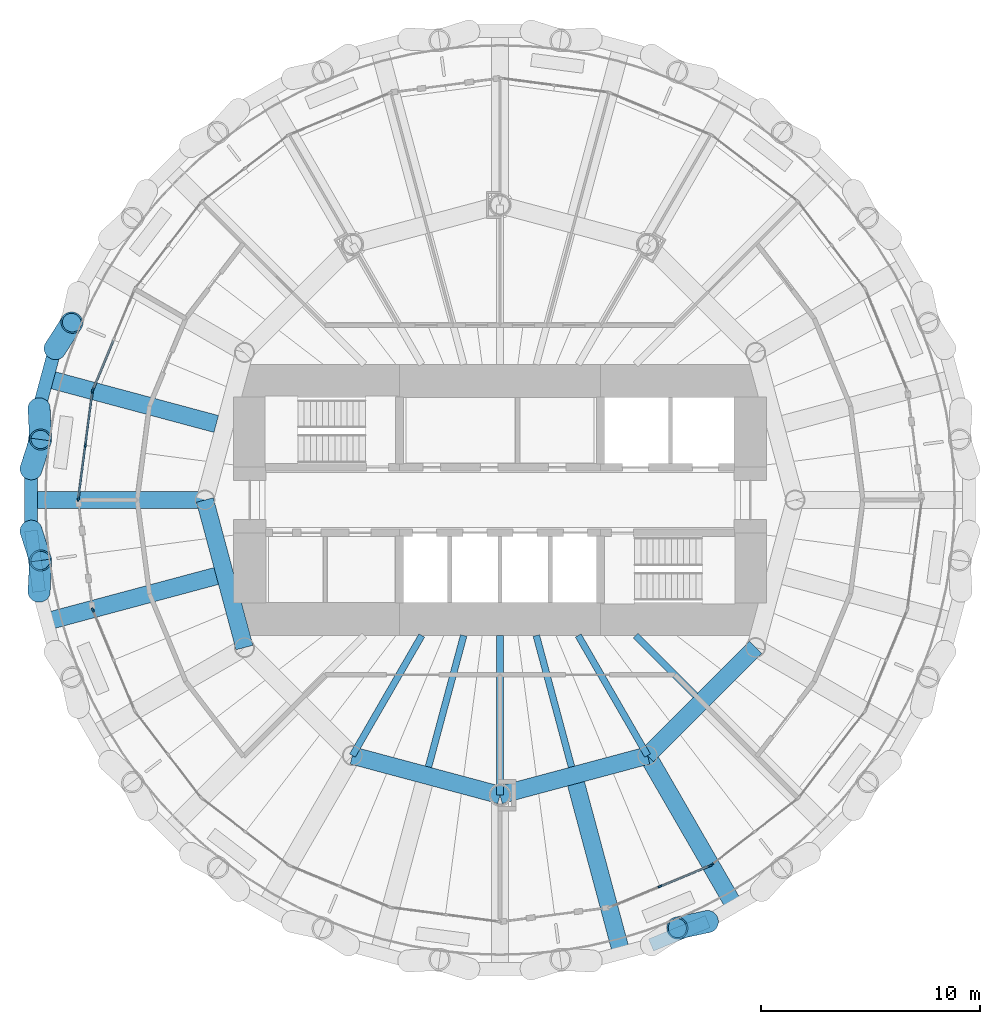
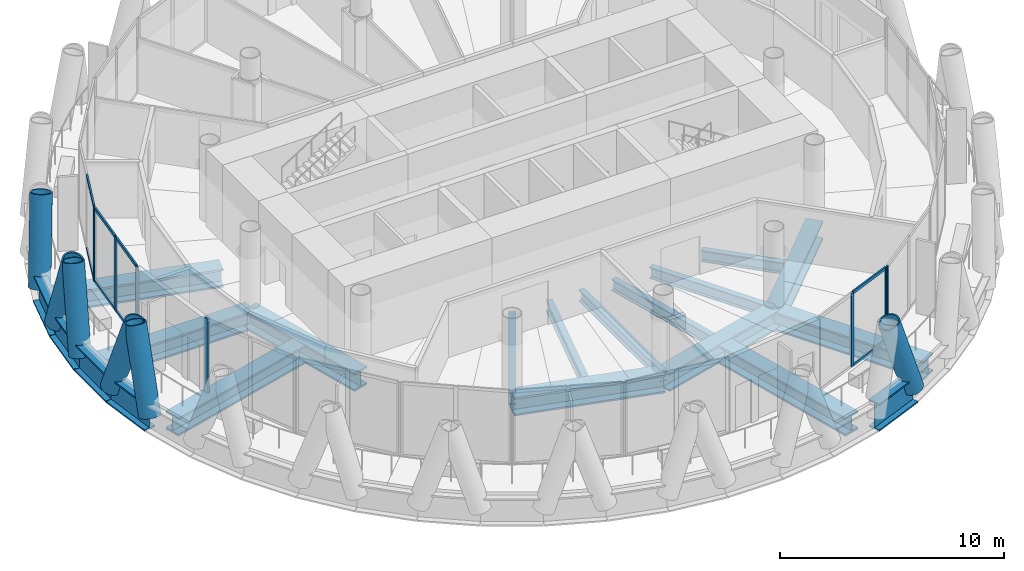
# One storey, part 3 of 15: 22 members, 20 beams, 5 elements without a shape of their own.
"""IFC4 building model written with IfcOpenShell, lengths in metres."""

from ifc_helpers import new_model, si_unit, direction, frame, origin, origin_2d, place, context, subcontext, project, spatial, rectangle, hollow_circle, i_section, extrude, material, material_profile, profile_set, type_object, element, aggregate, save


model = new_model("IFC4")

# Units and contexts
model_context = context("Model", 3, precision=1e-05, world=origin(), true_north=direction((0.0, 1.0)))
body_context = subcontext(model_context, "Body", "Model", "MODEL_VIEW")
ifc_project = project(units=[si_unit("LENGTHUNIT", "METRE"), si_unit("AREAUNIT", "SQUARE_METRE"), si_unit("VOLUMEUNIT", "CUBIC_METRE"), si_unit("PLANEANGLEUNIT", "RADIAN"), si_unit("MASSUNIT", "GRAM", prefix="KILO")], contexts=[model_context])

# Site, building, storey
site_placement = place(None, origin())
site = spatial("IfcSite", under=ifc_project, at=site_placement, CompositionType="ELEMENT")
building_placement = place(site_placement, origin())
building = spatial("IfcBuilding", under=site, at=building_placement, Name="Qaws Media Tower", CompositionType="ELEMENT")
storey_placement = place(building_placement, frame((0.0, 0.0, 265.39990234375)))
storey = spatial("IfcBuildingStorey", under=building, at=storey_placement, Name="L61", CompositionType="ELEMENT", Elevation=265.39990234375)

# Curtain wall, member
ifc_material_1 = material(Name="Aluminium and clear glass", Category="aluminium")
curtain_wall_type = type_object("IfcCurtainWallType", Name="Unitised curtain wall CW-D", PredefinedType="NOTDEFINED", material=ifc_material_1)
curtain_wall_1_placement = place(storey_placement, origin())
curtain_wall_1 = element("IfcCurtainWall", 1, at=curtain_wall_1_placement, inside=storey, type_object=curtain_wall_type, Name="CWD curtain wall L61-11", PredefinedType="NOTDEFINED")
ifc_material_2 = material(Name="Aluminium mullion", Category="aluminium")
ifc_material_profile_1 = material_profile(ifc_material_2, rectangle(XDim=0.080078125, YDim=0.199951171875, at=origin_2d()), Name="80x200")
ifc_profile_set_1 = profile_set([ifc_material_profile_1], Name="Aluminium mullion")
member_type_1 = type_object("IfcMemberType", Name="Curtain wall mullion 80x200", PredefinedType="MULLION", material=ifc_profile_set_1)
member_1_placement = place(storey_placement, frame((41.373046875, 55.0322265625, 0.0), z_axis=(0.0, 0.0, 1.0), x_axis=(0.923879530855, -0.382683436364, 0.0)))
member_1 = element("IfcMember", 2, at=member_1_placement, type_object=member_type_1, Name="CWD mullion 3", PredefinedType="MULLION", context=body_context, shape_type="SweptSolid", body=[
    extrude(rectangle(XDim=0.080078125, YDim=0.199951171875, at=origin_2d()), origin(), (0.0, 0.0, 1.0), 4.0400390625),
])

# Curtain wall, members
curtain_wall_2_placement = place(storey_placement, origin())
curtain_wall_2 = element("IfcCurtainWall", 3, at=curtain_wall_2_placement, inside=storey, type_object=curtain_wall_type, Name="CWD curtain wall L61-12", PredefinedType="NOTDEFINED")
member_2_placement = place(storey_placement, frame((41.352294921875, 54.95556640625, 0.0), z_axis=(0.0, 0.0, 1.0), x_axis=(0.991444851334, -0.130526268479, 0.0)))
member_2 = element("IfcMember", 4, at=member_2_placement, type_object=member_type_1, Name="CWD mullion 1", PredefinedType="MULLION", context=body_context, shape_type="SweptSolid", body=[
    extrude(rectangle(XDim=0.080078125, YDim=0.199951171875, at=origin_2d()), origin(), (0.0, 0.0, 1.0), 4.0400390625),
])
member_3_placement = place(storey_placement, frame((41.02880859375, 52.49755859375, 0.0), z_axis=(0.0, 0.0, 1.0), x_axis=(0.991444851334, -0.130526268479, 0.0)))
member_3 = element("IfcMember", 5, at=member_3_placement, type_object=member_type_1, Name="CWD mullion 2", PredefinedType="MULLION", context=body_context, shape_type="SweptSolid", body=[
    extrude(rectangle(XDim=0.080078125, YDim=0.199951171875, at=origin_2d()), origin(), (0.0, 0.0, 1.0), 4.0400390625),
])
member_4_placement = place(storey_placement, frame((40.705322265625, 50.03955078125, 0.0), z_axis=(0.0, 0.0, 1.0), x_axis=(0.991444851334, -0.130526268479, 0.0)))
member_4 = element("IfcMember", 6, at=member_4_placement, type_object=member_type_1, Name="CWD mullion 3", PredefinedType="MULLION", context=body_context, shape_type="SweptSolid", body=[
    extrude(rectangle(XDim=0.080078125, YDim=0.199951171875, at=origin_2d()), origin(), (0.0, 0.0, 1.0), 4.0400390625),
])

# Curtain wall, member
curtain_wall_3_placement = place(storey_placement, origin())
curtain_wall_3 = element("IfcCurtainWall", 7, at=curtain_wall_3_placement, inside=storey, type_object=curtain_wall_type, Name="CWD curtain wall L61-14", PredefinedType="NOTDEFINED")
member_5_placement = place(storey_placement, frame((41.373046875, 44.9677734375, 0.0), z_axis=(0.0, 0.0, 1.0), x_axis=(0.923879530855, 0.382683436364, 0.0)))
member_5 = element("IfcMember", 8, at=member_5_placement, type_object=member_type_1, Name="CWD mullion 1", PredefinedType="MULLION", context=body_context, shape_type="SweptSolid", body=[
    extrude(rectangle(XDim=0.080078125, YDim=0.199951171875, at=origin_2d()), origin(), (0.0, 0.0, 1.0), 4.0400390625),
])
aggregate(curtain_wall_3, [member_5])

# Curtain wall, members
curtain_wall_4_placement = place(storey_placement, origin())
curtain_wall_4 = element("IfcCurtainWall", 9, at=curtain_wall_4_placement, inside=storey, type_object=curtain_wall_type, Name="CWD curtain wall L61-20", PredefinedType="NOTDEFINED")
member_6_placement = place(storey_placement, frame((67.322509765625, 32.32177734375, 0.0), z_axis=(0.0, 0.0, 1.0), x_axis=(-0.382683436364, 0.923879530855, 0.0)))
member_6 = element("IfcMember", 10, at=member_6_placement, type_object=member_type_1, Name="CWD mullion 2", PredefinedType="MULLION", context=body_context, shape_type="SweptSolid", body=[
    extrude(rectangle(XDim=0.080078125, YDim=0.199951171875, at=origin_2d()), origin(), (0.0, 0.0, 1.0), 4.0400390625),
])
member_7_placement = place(storey_placement, frame((69.613037109375, 33.2705078125, 0.0), z_axis=(0.0, 0.0, 1.0), x_axis=(-0.382683436364, 0.923879530855, 0.0)))
member_7 = element("IfcMember", 11, at=member_7_placement, type_object=member_type_1, Name="CWD mullion 3", PredefinedType="MULLION", context=body_context, shape_type="SweptSolid", body=[
    extrude(rectangle(XDim=0.080078125, YDim=0.199951171875, at=origin_2d()), origin(), (0.0, 0.0, 1.0), 4.0400390625),
])

# Curtain wall, member
curtain_wall_5_placement = place(storey_placement, origin())
curtain_wall_5 = element("IfcCurtainWall", 12, at=curtain_wall_5_placement, inside=storey, type_object=curtain_wall_type, Name="CWD curtain wall L61-21", PredefinedType="NOTDEFINED")
member_8_placement = place(storey_placement, frame((69.681640625, 33.31005859375, 0.0), z_axis=(0.0, 0.0, 1.0), x_axis=(-0.608761365217, 0.79335338924, 0.0)))
member_8 = element("IfcMember", 13, at=member_8_placement, type_object=member_type_1, Name="CWD mullion 1", PredefinedType="MULLION", context=body_context, shape_type="SweptSolid", body=[
    extrude(rectangle(XDim=0.080078125, YDim=0.199951171875, at=origin_2d()), origin(), (0.0, 0.0, 1.0), 4.0400390625),
])
aggregate(curtain_wall_5, [member_8])

# Member
ifc_material_3 = material(Name="Aluminium transom", Category="aluminium")
ifc_material_profile_2 = material_profile(ifc_material_3, rectangle(XDim=0.080078125, YDim=0.159912109375, at=origin_2d()), Name="80x160")
ifc_profile_set_2 = profile_set([ifc_material_profile_2], Name="Aluminium transom")
member_type_2 = type_object("IfcMemberType", Name="Curtain wall transom 80x160", PredefinedType="USERDEFINED", material=ifc_profile_set_2)
member_9_placement = place(storey_placement, frame((42.306396484375, 57.28564453125, 0.0400390625), z_axis=(-0.382714272026, -0.923866757703, 0.0), x_axis=(0.923866757703, -0.382714272026, 0.0)))
member_9 = element("IfcMember", 14, at=member_9_placement, type_object=member_type_2, Name="CWD transom 2.1", ObjectType="TRANSOM", PredefinedType="USERDEFINED", context=body_context, shape_type="SweptSolid", body=[
    extrude(rectangle(XDim=0.080078125, YDim=0.159912109375, at=origin_2d()), origin(), (0.0, 0.0, 1.0), 2.399169921875),
])

member_10_placement = place(storey_placement, frame((42.306396484375, 57.28564453125, 4.0), z_axis=(-0.382714272026, -0.923866757703, 0.0), x_axis=(0.923866757703, -0.382714272026, 0.0)))
member_10 = element("IfcMember", 15, at=member_10_placement, type_object=member_type_2, Name="CWD transom 2.2", ObjectType="TRANSOM", PredefinedType="USERDEFINED", context=body_context, shape_type="SweptSolid", body=[
    extrude(rectangle(XDim=0.080078125, YDim=0.159912109375, at=origin_2d()), origin(), (0.0, 0.0, 1.0), 2.399169921875),
])

aggregate(curtain_wall_1, [member_1, member_9, member_10])

member_11_placement = place(storey_placement, frame((41.34716796875, 54.915771484375, 0.0400390625), z_axis=(-0.130570344699, -0.99143904759, 0.0), x_axis=(0.99143904759, -0.130570344699, 0.0)))
member_11 = element("IfcMember", 16, at=member_11_placement, type_object=member_type_2, Name="CWD transom 1.1", ObjectType="TRANSOM", PredefinedType="USERDEFINED", context=body_context, shape_type="SweptSolid", body=[
    extrude(rectangle(XDim=0.080078125, YDim=0.159912109375, at=origin_2d()), origin(), (0.0, 0.0, 1.0), 2.39892578125),
])

member_12_placement = place(storey_placement, frame((41.34716796875, 54.915771484375, 4.0), z_axis=(-0.130570344699, -0.99143904759, 0.0), x_axis=(0.99143904759, -0.130570344699, 0.0)))
member_12 = element("IfcMember", 17, at=member_12_placement, type_object=member_type_2, Name="CWD transom 1.2", ObjectType="TRANSOM", PredefinedType="USERDEFINED", context=body_context, shape_type="SweptSolid", body=[
    extrude(rectangle(XDim=0.080078125, YDim=0.159912109375, at=origin_2d()), origin(), (0.0, 0.0, 1.0), 2.39892578125),
])

member_13_placement = place(storey_placement, frame((41.023681640625, 52.4580078125, 0.0400390625), z_axis=(-0.130557171689, -0.991440782357, 0.0), x_axis=(0.991440782357, -0.130557171689, 0.0)))
member_13 = element("IfcMember", 18, at=member_13_placement, type_object=member_type_2, Name="CWD transom 2.1", ObjectType="TRANSOM", PredefinedType="USERDEFINED", context=body_context, shape_type="SweptSolid", body=[
    extrude(rectangle(XDim=0.080078125, YDim=0.159912109375, at=origin_2d()), origin(), (0.0, 0.0, 1.0), 2.399169921875),
])

member_14_placement = place(storey_placement, frame((41.023681640625, 52.4580078125, 4.0), z_axis=(-0.130557171689, -0.991440782357, 0.0), x_axis=(0.991440782357, -0.130557171689, 0.0)))
member_14 = element("IfcMember", 19, at=member_14_placement, type_object=member_type_2, Name="CWD transom 2.2", ObjectType="TRANSOM", PredefinedType="USERDEFINED", context=body_context, shape_type="SweptSolid", body=[
    extrude(rectangle(XDim=0.080078125, YDim=0.159912109375, at=origin_2d()), origin(), (0.0, 0.0, 1.0), 2.399169921875),
])

aggregate(curtain_wall_2, [member_2, member_3, member_4, member_11, member_12, member_13, member_14])

member_15_placement = place(storey_placement, frame((67.359619140625, 32.3369140625, 0.0400390625), z_axis=(0.923866757703, 0.382714272026, 0.0), x_axis=(-0.382714272026, 0.923866757703, 0.0)))
member_15 = element("IfcMember", 20, at=member_15_placement, type_object=member_type_2, Name="CWD transom 2.1", ObjectType="TRANSOM", PredefinedType="USERDEFINED", context=body_context, shape_type="SweptSolid", body=[
    extrude(rectangle(XDim=0.080078125, YDim=0.159912109375, at=origin_2d()), origin(), (0.0, 0.0, 1.0), 2.399169921875),
])

member_16_placement = place(storey_placement, frame((67.359619140625, 32.3369140625, 4.0), z_axis=(0.923866757703, 0.382714272026, 0.0), x_axis=(-0.382714272026, 0.923866757703, 0.0)))
member_16 = element("IfcMember", 21, at=member_16_placement, type_object=member_type_2, Name="CWD transom 2.2", ObjectType="TRANSOM", PredefinedType="USERDEFINED", context=body_context, shape_type="SweptSolid", body=[
    extrude(rectangle(XDim=0.080078125, YDim=0.159912109375, at=origin_2d()), origin(), (0.0, 0.0, 1.0), 2.399169921875),
])

aggregate(curtain_wall_4, [member_6, member_7, member_15, member_16])

# Members
ifc_material_4 = material(Name="Steel S460", Category="steel")
ifc_material_profile_3 = material_profile(ifc_material_4, hollow_circle(Radius=0.508056640625, WallThickness=0.070068359375, at=origin_2d()), Name="CHS 1016x70")
ifc_profile_set_3 = profile_set([ifc_material_profile_3], Name="Steel S460")
member_type_3 = type_object("IfcMemberType", Name="Diagrid member CHS 1016x70", PredefinedType="USERDEFINED", material=ifc_profile_set_3)
for number, where, z_axis, x_axis, name in (
    (22, (38.9130859375, 54.1943359375, -0.909912109375), (0.015408886493, -0.321715537287, 0.946710979806), (0.998854956417, 0.047841154259, 0.0), "DG3 diagrid L61 A12"),
    (23, (39.64111328125, 56.910888671875, -0.909912109375), (0.174175702835, 0.270921638249, 0.946712358887), (-0.841161820397, 0.540783498183, 0.0), "DG3 diagrid L61 B12"),
    (24, (38.546142578125, 48.59375, -0.909912109375), (0.0981224127, -0.306749483111, 0.946718937561), (0.952457869981, 0.304670323318, 0.0), "DG3 diagrid L61 A13"),
    (25, (38.546142578125, 51.40625, -0.909912109375), (0.0981224127, 0.306749483111, 0.946718937561), (-0.952457869981, 0.304670323318, 0.0), "DG3 diagrid L61 B13"),
    (26, (38.9130859375, 45.8056640625, -0.909912109375), (0.015408886493, 0.321715537287, 0.946710979806), (-0.998854956417, 0.047841154259, 0.0), "DG3 diagrid L61 B14"),
):
    element("IfcMember", number, at=place(storey_placement, frame(where, z_axis=z_axis, x_axis=x_axis)), inside=storey, type_object=member_type_3, Name=name, ObjectType="DIAGRID", PredefinedType="USERDEFINED", context=body_context, shape_type="SweptSolid", body=[
        extrude(hollow_circle(Radius=0.508056640625, WallThickness=0.070068359375, at=origin_2d()), origin(), (0.0, 0.0, 1.0), 4.436279296875),
    ])
member_17_placement = place(storey_placement, frame((69.50927734375, 30.71728515625, -0.909912109375), z_axis=(-0.314777089822, -0.068403482981, 0.946697600736), x_axis=(0.212351625581, -0.977193321259, 0.0)))
element("IfcMember", 27, at=member_17_placement, inside=storey, type_object=member_type_3, Name="DG3 diagrid L61 B21", ObjectType="DIAGRID", PredefinedType="USERDEFINED", context=body_context, shape_type="SweptSolid", body=[
    extrude(hollow_circle(Radius=0.508056640625, WallThickness=0.070068359375, at=origin_2d()), origin(), (0.0, 0.0, 1.0), 4.4365234375),
])

# Beams
ifc_material_5 = material(Name="Steel S460", Category="steel")
ifc_material_profile_4 = material_profile(ifc_material_5, i_section(OverallWidth=0.60009765625, OverallDepth=1.5, WebThickness=0.030029296875, FlangeThickness=0.080078125, at=origin_2d()), Name="PG 1500x600")
ifc_profile_set_4 = profile_set([ifc_material_profile_4], Name="Steel S460")
beam_type_1 = type_object("IfcBeamType", Name="Edge ring beam PG 1500x600", PredefinedType="BEAM", material=ifc_profile_set_4)
beam_1_placement = place(storey_placement, frame((39.64111328125, 56.910888671875, -0.909912109375), z_axis=(-0.258861917402, -0.965914337671, 0.0), x_axis=(0.965914337671, -0.258861917402, 0.0)))
element("IfcBeam", 28, at=beam_1_placement, inside=storey, type_object=beam_type_1, Name="RB5 edge ring beam L61-22", PredefinedType="BEAM", context=body_context, shape_type="SweptSolid", body=[
    extrude(i_section(OverallWidth=0.60009765625, OverallDepth=1.5, WebThickness=0.030029296875, FlangeThickness=0.080078125, at=origin_2d()), origin(), (0.0, 0.0, 1.0), 2.8125),
])
beam_2_placement = place(storey_placement, frame((38.9130859375, 54.1943359375, -0.909912109375), z_axis=(-0.13048595338, -0.991450158087, 0.0), x_axis=(0.991450158087, -0.13048595338, 0.0)))
element("IfcBeam", 29, at=beam_2_placement, inside=storey, type_object=beam_type_1, Name="RB5 edge ring beam L61-23", PredefinedType="BEAM", context=body_context, shape_type="SweptSolid", body=[
    extrude(i_section(OverallWidth=0.60009765625, OverallDepth=1.5, WebThickness=0.030029296875, FlangeThickness=0.080078125, at=origin_2d()), origin(), (0.0, 0.0, 1.0), 2.81201171875),
])
beam_3_placement = place(storey_placement, frame((38.546142578125, 51.40625, -0.909912109375), z_axis=(0.0, -1.0, 0.0), x_axis=(1.0, 0.0, 0.0)))
element("IfcBeam", 30, at=beam_3_placement, inside=storey, type_object=beam_type_1, Name="RB5 edge ring beam L61-24", PredefinedType="BEAM", context=body_context, shape_type="SweptSolid", body=[
    extrude(i_section(OverallWidth=0.60009765625, OverallDepth=1.5, WebThickness=0.030029296875, FlangeThickness=0.080078125, at=origin_2d()), origin(), (0.0, 0.0, 1.0), 2.8125),
])
beam_4_placement = place(storey_placement, frame((38.546142578125, 48.59375, -0.909912109375), z_axis=(0.13048595338, -0.991450158087, 0.0), x_axis=(0.991450158087, 0.13048595338, 0.0)))
element("IfcBeam", 31, at=beam_4_placement, inside=storey, type_object=beam_type_1, Name="RB5 edge ring beam L61-25", PredefinedType="BEAM", context=body_context, shape_type="SweptSolid", body=[
    extrude(i_section(OverallWidth=0.60009765625, OverallDepth=1.5, WebThickness=0.030029296875, FlangeThickness=0.080078125, at=origin_2d()), origin(), (0.0, 0.0, 1.0), 2.81201171875),
])
beam_5_placement = place(storey_placement, frame((66.910888671875, 29.64111328125, -0.909912109375), z_axis=(0.923894108428, 0.382648241093, 0.0), x_axis=(-0.382648241093, 0.923894108428, 0.0)))
element("IfcBeam", 32, at=beam_5_placement, inside=storey, type_object=beam_type_1, Name="RB5 edge ring beam L61-39", PredefinedType="BEAM", context=body_context, shape_type="SweptSolid", body=[
    extrude(i_section(OverallWidth=0.60009765625, OverallDepth=1.5, WebThickness=0.030029296875, FlangeThickness=0.080078125, at=origin_2d()), origin(), (0.0, 0.0, 1.0), 2.8125),
])
ifc_material_6 = material(Name="Steel S460", Category="steel")
ifc_material_profile_5 = material_profile(ifc_material_6, i_section(OverallWidth=0.800048828125, OverallDepth=1.0, WebThickness=0.0400390625, FlangeThickness=0.10009765625, at=origin_2d()), Name="PG 1000x800")
ifc_profile_set_5 = profile_set([ifc_material_profile_5], Name="Steel S460")
beam_type_2 = type_object("IfcBeamType", Name="Inner ring girder PG 1000x800", PredefinedType="BEAM", material=ifc_profile_set_5)
for number, where, z_axis, x_axis, name in (
    (33, (46.5, 50.0, -0.659912109375), (0.258810593767, -0.965928090778, 0.0), (0.965928090778, 0.258810593767, 0.0), "B3 inner ring beam L61 I07-I08"),
    (34, (53.25, 38.30859375, -0.659912109375), (0.965928090778, -0.258810593767, 0.0), (0.258810593767, 0.965928090778, 0.0), "B3 inner ring beam L61 I09-I10"),
    (35, (60.0, 36.5, -0.659912109375), (0.965928090778, 0.258810593767, 0.0), (-0.258810593767, 0.965928090778, 0.0), "B3 inner ring beam L61 I10-I11"),
):
    element("IfcBeam", number, at=place(storey_placement, frame(where, z_axis=z_axis, x_axis=x_axis)), inside=storey, type_object=beam_type_2, Name=name, PredefinedType="BEAM", context=body_context, shape_type="SweptSolid", body=[
        extrude(i_section(OverallWidth=0.800048828125, OverallDepth=1.0, WebThickness=0.0400390625, FlangeThickness=0.10009765625, at=origin_2d()), origin(), (0.0, 0.0, 1.0), 6.988037109375),
    ])
beam_6_placement = place(storey_placement, frame((66.75, 38.30859375, -0.659912109375), z_axis=(0.707106781187, 0.707106781187, 0.0), x_axis=(-0.707106781187, 0.707106781187, 0.0)))
element("IfcBeam", 36, at=beam_6_placement, inside=storey, type_object=beam_type_2, Name="B3 inner ring beam L61 I11-I12", PredefinedType="BEAM", context=body_context, shape_type="SweptSolid", body=[
    extrude(i_section(OverallWidth=0.800048828125, OverallDepth=1.0, WebThickness=0.0400390625, FlangeThickness=0.10009765625, at=origin_2d()), origin(), (0.0, 0.0, 1.0), 6.98828125),
])
ifc_material_7 = material(Name="Steel S355", Category="steel")
ifc_material_profile_6 = material_profile(ifc_material_7, i_section(OverallWidth=0.304931640625, OverallDepth=0.6201171875, WebThickness=0.02099609375, FlangeThickness=0.0400390625, FilletRadius=0.027099609375, at=origin_2d()), Name="HE 600 M")
ifc_profile_set_6 = profile_set([ifc_material_profile_6], Name="Steel S355")
beam_type_3 = type_object("IfcBeamType", Name="Radial beam HE 600 M, core side", PredefinedType="BEAM", material=ifc_profile_set_6)
beam_7_placement = place(storey_placement, frame((56.42041015625, 43.800048828125, -0.469970703125), z_axis=(-0.499990193304, -0.866031065609, 0.0), x_axis=(0.866031065609, -0.499990193304, 0.0)))
element("IfcBeam", 37, at=beam_7_placement, inside=storey, type_object=beam_type_3, Name="B2 radial beam L61 17", PredefinedType="BEAM", context=body_context, shape_type="SweptSolid", body=[
    extrude(i_section(OverallWidth=0.304931640625, OverallDepth=0.6201171875, WebThickness=0.02099609375, FlangeThickness=0.0400390625, FilletRadius=0.027099609375, at=origin_2d()), origin(), (0.0, 0.0, 1.0), 6.341064453125),
])
beam_8_placement = place(storey_placement, frame((58.338623046875, 43.800048828125, -0.469970703125), z_axis=(-0.258808008719, -0.965928783412, 0.0), x_axis=(0.965928783412, -0.258808008719, 0.0)))
element("IfcBeam", 38, at=beam_8_placement, inside=storey, type_object=beam_type_3, Name="B2 radial beam L61 18", PredefinedType="BEAM", context=body_context, shape_type="SweptSolid", body=[
    extrude(i_section(OverallWidth=0.304931640625, OverallDepth=0.6201171875, WebThickness=0.02099609375, FlangeThickness=0.0400390625, FilletRadius=0.027099609375, at=origin_2d()), origin(), (0.0, 0.0, 1.0), 6.22119140625),
])
beam_9_placement = place(storey_placement, frame((60.0, 43.800048828125, -0.469970703125), z_axis=(0.0, -1.0, 0.0), x_axis=(1.0, 0.0, 0.0)))
element("IfcBeam", 39, at=beam_9_placement, inside=storey, type_object=beam_type_3, Name="B2 radial beam L61 19", PredefinedType="BEAM", context=body_context, shape_type="SweptSolid", body=[
    extrude(i_section(OverallWidth=0.304931640625, OverallDepth=0.6201171875, WebThickness=0.02099609375, FlangeThickness=0.0400390625, FilletRadius=0.027099609375, at=origin_2d()), origin(), (0.0, 0.0, 1.0), 7.300048828125),
])
beam_10_placement = place(storey_placement, frame((61.661376953125, 43.800048828125, -0.469970703125), z_axis=(0.258808008719, -0.965928783412, 0.0), x_axis=(0.965928783412, 0.258808008719, 0.0)))
element("IfcBeam", 40, at=beam_10_placement, inside=storey, type_object=beam_type_3, Name="B2 radial beam L61 20", PredefinedType="BEAM", context=body_context, shape_type="SweptSolid", body=[
    extrude(i_section(OverallWidth=0.304931640625, OverallDepth=0.6201171875, WebThickness=0.02099609375, FlangeThickness=0.0400390625, FilletRadius=0.027099609375, at=origin_2d()), origin(), (0.0, 0.0, 1.0), 6.22119140625),
])
beam_11_placement = place(storey_placement, frame((63.57958984375, 43.800048828125, -0.469970703125), z_axis=(0.499990193304, -0.866031065609, 0.0), x_axis=(0.866031065609, 0.499990193304, 0.0)))
element("IfcBeam", 41, at=beam_11_placement, inside=storey, type_object=beam_type_3, Name="B2 radial beam L61 21", PredefinedType="BEAM", context=body_context, shape_type="SweptSolid", body=[
    extrude(i_section(OverallWidth=0.304931640625, OverallDepth=0.6201171875, WebThickness=0.02099609375, FlangeThickness=0.0400390625, FilletRadius=0.027099609375, at=origin_2d()), origin(), (0.0, 0.0, 1.0), 6.341064453125),
])
beam_12_placement = place(storey_placement, frame((66.199951171875, 43.800048828125, -0.469970703125), z_axis=(0.707106781187, -0.707106781187, 0.0), x_axis=(0.707106781187, 0.707106781187, 0.0)))
element("IfcBeam", 42, at=beam_12_placement, inside=storey, type_object=beam_type_3, Name="B2 radial beam L61 22", PredefinedType="BEAM", context=body_context, shape_type="SweptSolid", body=[
    extrude(i_section(OverallWidth=0.304931640625, OverallDepth=0.6201171875, WebThickness=0.02099609375, FlangeThickness=0.0400390625, FilletRadius=0.027099609375, at=origin_2d()), origin(), (0.0, 0.0, 1.0), 3.871826171875),
])
ifc_material_8 = material(Name="Steel S460", Category="steel")
ifc_material_profile_7 = material_profile(ifc_material_8, i_section(OverallWidth=0.800048828125, OverallDepth=1.0, WebThickness=0.0400390625, FlangeThickness=0.10009765625, at=origin_2d()), Name="PG 1000x800")
ifc_profile_set_7 = profile_set([ifc_material_profile_7], Name="Steel S460")
beam_type_4 = type_object("IfcBeamType", Name="Radial girder PG 1000x800", PredefinedType="BEAM", material=ifc_profile_set_7)
beam_13_placement = place(storey_placement, frame((47.01806640625, 53.478515625, -0.659912109375), z_axis=(-0.965924798457, 0.258822880994, 0.0), x_axis=(-0.258822880994, -0.965924798457, 0.0)))
element("IfcBeam", 43, at=beam_13_placement, inside=storey, type_object=beam_type_4, Name="B1 radial beam L61 12", PredefinedType="BEAM", context=body_context, shape_type="SweptSolid", body=[
    extrude(i_section(OverallWidth=0.800048828125, OverallDepth=1.0, WebThickness=0.0400390625, FlangeThickness=0.10009765625, at=origin_2d()), origin(), (0.0, 0.0, 1.0), 8.01416015625),
])
beam_14_placement = place(storey_placement, frame((46.5, 50.0, -0.659912109375), z_axis=(-1.0, 0.0, 0.0), x_axis=(0.0, -1.0, 0.0)))
element("IfcBeam", 44, at=beam_14_placement, inside=storey, type_object=beam_type_4, Name="B1 radial beam L61 13", PredefinedType="BEAM", context=body_context, shape_type="SweptSolid", body=[
    extrude(i_section(OverallWidth=0.800048828125, OverallDepth=1.0, WebThickness=0.0400390625, FlangeThickness=0.10009765625, at=origin_2d()), origin(), (0.0, 0.0, 1.0), 7.953857421875),
])
for number, where, z_axis, x_axis, name in (
    (45, (47.01806640625, 46.521484375, -0.659912109375), (-0.965924798457, -0.258822880994, 0.0), (0.258822880994, -0.965924798457, 0.0), "B1 radial beam L61 14"),
    (46, (63.478515625, 37.01806640625, -0.659912109375), (0.258822880994, -0.965924798457, 0.0), (0.965924798457, 0.258822880994, 0.0), "B1 radial beam L61 20"),
):
    element("IfcBeam", number, at=place(storey_placement, frame(where, z_axis=z_axis, x_axis=x_axis)), inside=storey, type_object=beam_type_4, Name=name, PredefinedType="BEAM", context=body_context, shape_type="SweptSolid", body=[
        extrude(i_section(OverallWidth=0.800048828125, OverallDepth=1.0, WebThickness=0.0400390625, FlangeThickness=0.10009765625, at=origin_2d()), origin(), (0.0, 0.0, 1.0), 8.01416015625),
    ])
beam_15_placement = place(storey_placement, frame((66.75, 38.30859375, -0.659912109375), z_axis=(0.500014721933, -0.866016903906, 0.0), x_axis=(0.866016903906, 0.500014721933, 0.0)))
element("IfcBeam", 47, at=beam_15_placement, inside=storey, type_object=beam_type_4, Name="B1 radial beam L61 21", PredefinedType="BEAM", context=body_context, shape_type="SweptSolid", body=[
    extrude(i_section(OverallWidth=0.800048828125, OverallDepth=1.0, WebThickness=0.0400390625, FlangeThickness=0.10009765625, at=origin_2d()), origin(), (0.0, 0.0, 1.0), 7.953857421875),
])

save(model, "model.ifc")
